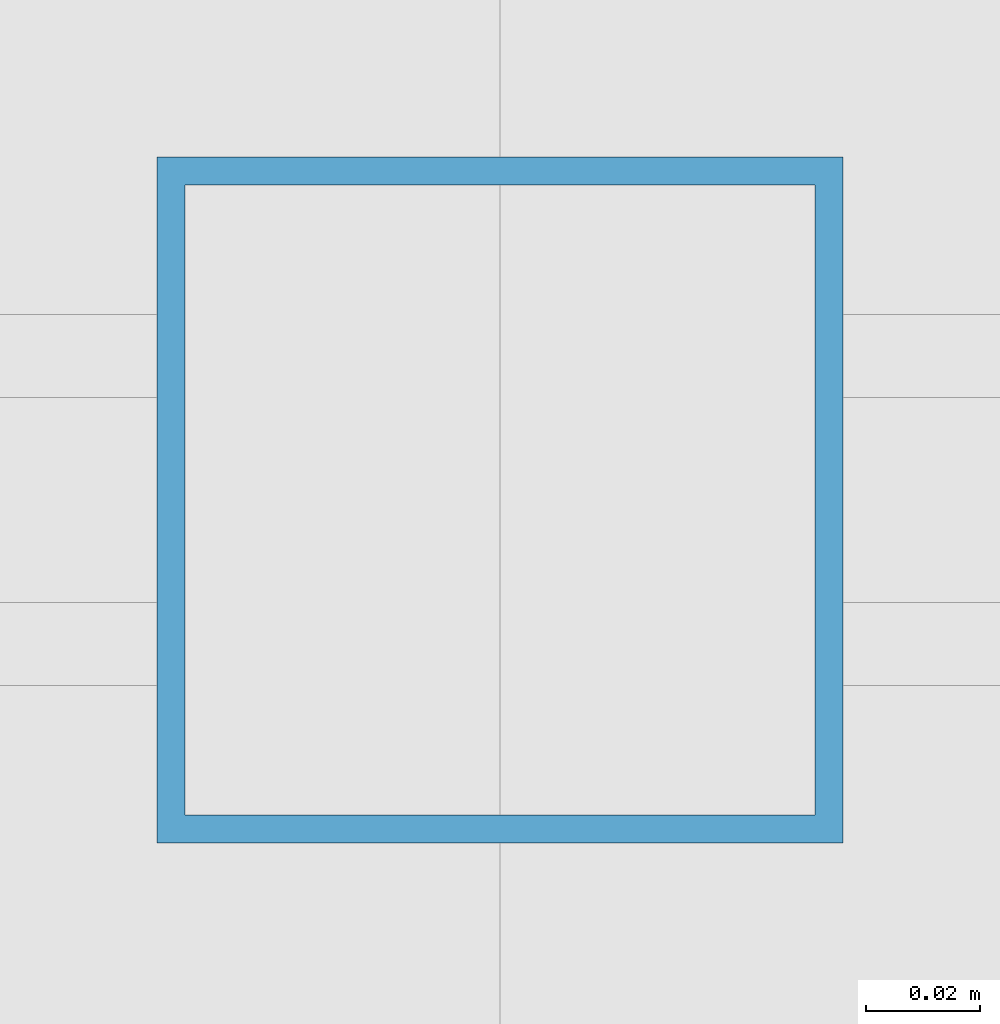
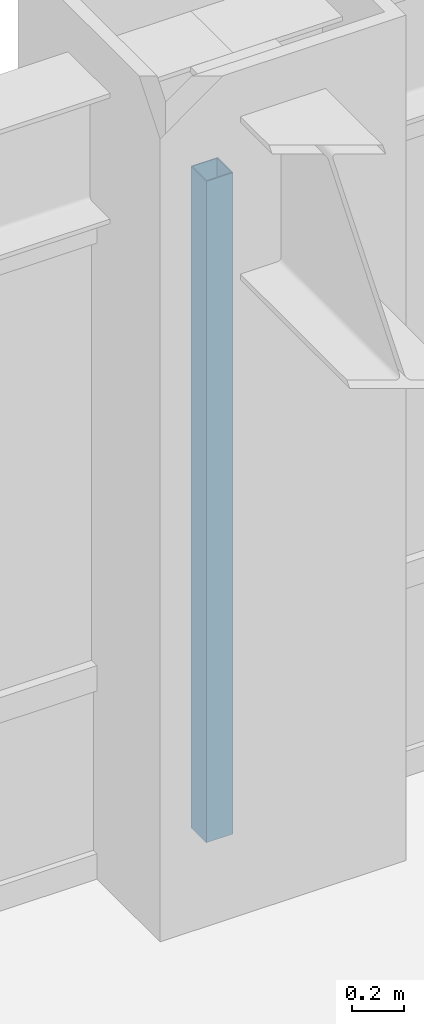
# One storey, part 16 of 25: 1 member, 1 element without a shape of its own.
"""IFC4 building model written with IfcOpenShell, lengths in metres."""

from ifc_helpers import new_model, si_unit, direction, frame, origin, origin_2d, place, context, subcontext, project, spatial, hollow_rectangle, extrude, source, transform, mapped, material, material_profile, profile_set, type_object, element, aggregate, save


model = new_model("IFC4")

# Units and contexts
model_context = context("Model", 3, precision=1e-05, world=origin(), true_north=direction((0.0, 1.0)))
body_context = subcontext(model_context, "Body", "Model", "MODEL_VIEW")
ifc_project = project(units=[si_unit("LENGTHUNIT", "METRE"), si_unit("AREAUNIT", "SQUARE_METRE"), si_unit("VOLUMEUNIT", "CUBIC_METRE"), si_unit("PLANEANGLEUNIT", "RADIAN"), si_unit("MASSUNIT", "GRAM", prefix="KILO")], contexts=[model_context])

# Site, building, storey
site_placement = place(None, origin())
site = spatial("IfcSite", under=ifc_project, at=site_placement, CompositionType="ELEMENT")
building_placement = place(site_placement, origin())
building = spatial("IfcBuilding", under=site, at=building_placement, Name="Khorayat Bourse Tower", CompositionType="ELEMENT")
storey_placement = place(building_placement, frame((0.0, 0.0, 199.10009765625)))
storey = spatial("IfcBuildingStorey", under=building, at=storey_placement, Name="L46", CompositionType="ELEMENT", Elevation=199.10009765625)

# Curtain wall, member
ifc_material = material(Name="Aluminium EN AW-6063 T6", Category="aluminium")
curtain_wall_type = type_object("IfcCurtainWallType", Name="CW-SYS-03", PredefinedType="NOTDEFINED", material=ifc_material)
curtain_wall_placement = place(storey_placement, origin())
curtain_wall = element("IfcCurtainWall", 1, at=curtain_wall_placement, inside=storey, type_object=curtain_wall_type, Name="L46 Curtain Wall CW-L46-N1", PredefinedType="NOTDEFINED")
ifc_material_profile = material_profile(ifc_material, hollow_rectangle(XDim=0.1201171875, YDim=0.1201171875, WallThickness=0.0048828125, at=origin_2d()), Name="ALU 120x120x5")
ifc_profile_set = profile_set([ifc_material_profile], Name="Aluminium EN AW-6063 T6")
member_type = type_object("IfcMemberType", Name="CWM-VERT-120", PredefinedType="MULLION", material=ifc_profile_set)
shared_shape = source(origin(), body_context, "Body", "SweptSolid", [
    extrude(hollow_rectangle(XDim=0.1201171875, YDim=0.1201171875, WallThickness=0.0048828125, at=origin_2d()), origin(), (0.0, 0.0, 1.0), 3.1298828125),
])
member_placement = place(storey_placement, frame((0.0, 30.0, 0.0), z_axis=(0.0, 0.0, 1.0), x_axis=(0.0, 1.0, 0.0)))
member = element("IfcMember", 2, at=member_placement, type_object=member_type, Name="CW-L46-N1 Vertical Mullion 2", PredefinedType="MULLION", context=body_context, shape_type="MappedRepresentation", body=[
    mapped(shared_shape, transform((0.0, 0.0, 0.0), scale=1.0)),
])
aggregate(curtain_wall, [member])

save(model, "model.ifc")
